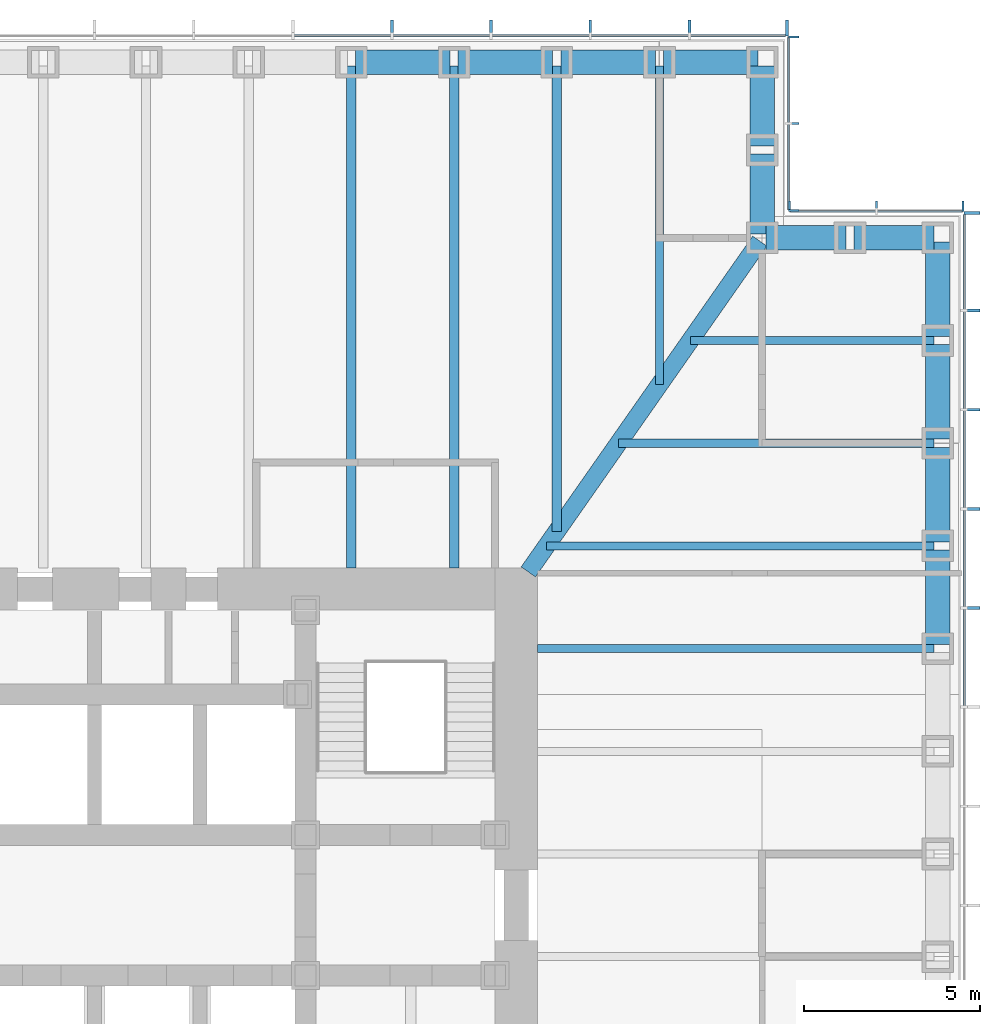
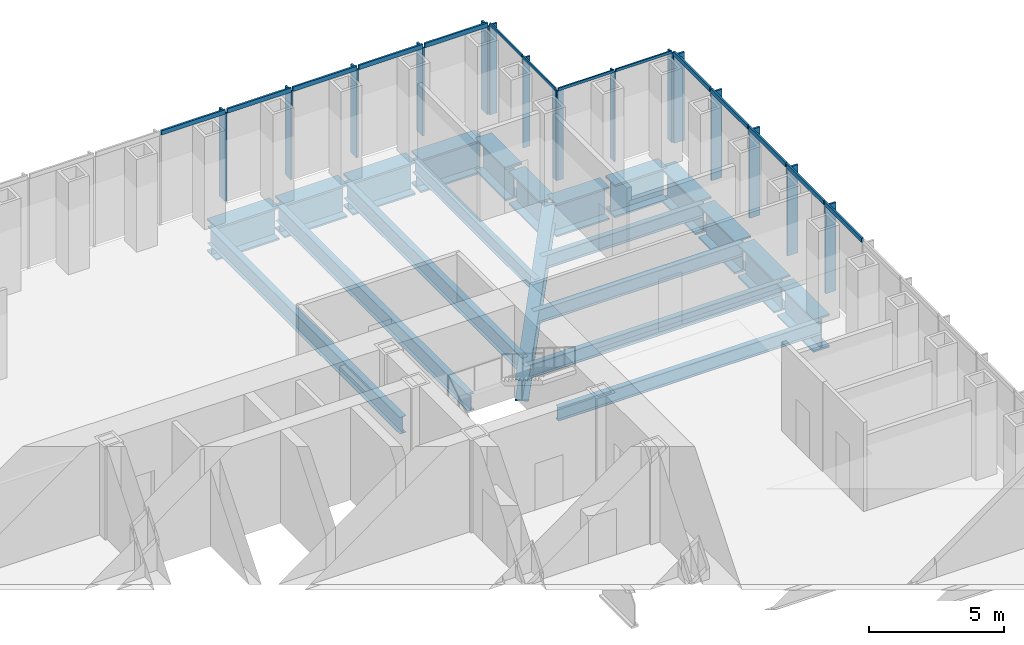
# One storey, part 6 of 16: 30 members, 21 beams, 4 elements without a shape of their own.
"""IFC4 building model written with IfcOpenShell, lengths in metres."""

from ifc_helpers import new_model, si_unit, direction, frame, origin, origin_2d, place, context, subcontext, project, spatial, rectangle, i_section, extrude, material, material_profile, profile_set, type_object, element, aggregate, save


model = new_model("IFC4")

# Units and contexts
model_context = context("Model", 3, precision=1e-05, world=origin(), true_north=direction((0.0, 1.0)))
body_context = subcontext(model_context, "Body", "Model", "MODEL_VIEW")
ifc_project = project(units=[si_unit("LENGTHUNIT", "METRE"), si_unit("AREAUNIT", "SQUARE_METRE"), si_unit("VOLUMEUNIT", "CUBIC_METRE"), si_unit("PLANEANGLEUNIT", "RADIAN"), si_unit("MASSUNIT", "GRAM", prefix="KILO")], contexts=[model_context])

# Site, building, storey
site_placement = place(None, origin())
site = spatial("IfcSite", under=ifc_project, at=site_placement, CompositionType="ELEMENT")
building_placement = place(site_placement, origin())
building = spatial("IfcBuilding", under=site, at=building_placement, Name="Daluyong Arena Tower", CompositionType="ELEMENT")
storey_placement = place(building_placement, frame((0.0, 0.0, 64.300048828125)))
storey = spatial("IfcBuildingStorey", under=building, at=storey_placement, Name="L13", CompositionType="ELEMENT", Elevation=64.300048828125)

# Curtain wall, members
ifc_material_1 = material(Name="Bronze anodised aluminium and glass", Category="aluminium")
curtain_wall_type_1 = type_object("IfcCurtainWallType", Name="Curtain wall CW1", PredefinedType="USERDEFINED", material=ifc_material_1)
curtain_wall_1_placement = place(storey_placement, origin())
curtain_wall_1 = element("IfcCurtainWall", 1, at=curtain_wall_1_placement, inside=storey, type_object=curtain_wall_type_1, Name="curtain wall L13 E", ObjectType="UNITISED CURTAIN WALL", PredefinedType="USERDEFINED")
ifc_material_2 = material(Name="Bronze anodised aluminium fin", Category="aluminium")
ifc_material_profile_1 = material_profile(ifc_material_2, rectangle(XDim=0.449951171875, YDim=0.080078125, at=origin_2d()))
ifc_profile_set_1 = profile_set([ifc_material_profile_1], Name="Bronze anodised aluminium fin")
member_type_1 = type_object("IfcMemberType", Name="CW1 bronze fin 450x80", PredefinedType="MULLION", material=ifc_profile_set_1)
member_1_placement = place(storey_placement, frame((80.97509765625, 88.46435546875, 0.0), z_axis=(0.0, 0.0, 1.0), x_axis=(-1.0, 0.0, 0.0)))
member_1 = element("IfcMember", 2, at=member_1_placement, type_object=member_type_1, Name="curtain wall L13 E fin 11", PredefinedType="MULLION", context=body_context, shape_type="SweptSolid", body=[
    extrude(rectangle(XDim=0.449951171875, YDim=0.080078125, at=origin_2d()), origin(), (0.0, 0.0, 1.0), 4.0),
])
member_2_placement = place(storey_placement, frame((80.97509765625, 91.28564453125, 0.0), z_axis=(0.0, 0.0, 1.0), x_axis=(-1.0, 0.0, 0.0)))
member_2 = element("IfcMember", 3, at=member_2_placement, type_object=member_type_1, Name="curtain wall L13 E fin 12", PredefinedType="MULLION", context=body_context, shape_type="SweptSolid", body=[
    extrude(rectangle(XDim=0.449951171875, YDim=0.080078125, at=origin_2d()), origin(), (0.0, 0.0, 1.0), 4.0),
])
member_3_placement = place(storey_placement, frame((80.97509765625, 94.107177734375, 0.0), z_axis=(0.0, 0.0, 1.0), x_axis=(-1.0, 0.0, 0.0)))
member_3 = element("IfcMember", 4, at=member_3_placement, type_object=member_type_1, Name="curtain wall L13 E fin 13", PredefinedType="MULLION", context=body_context, shape_type="SweptSolid", body=[
    extrude(rectangle(XDim=0.449951171875, YDim=0.080078125, at=origin_2d()), origin(), (0.0, 0.0, 1.0), 4.0),
])
member_4_placement = place(storey_placement, frame((80.97509765625, 96.928466796875, 0.0), z_axis=(0.0, 0.0, 1.0), x_axis=(-1.0, 0.0, 0.0)))
member_4 = element("IfcMember", 5, at=member_4_placement, type_object=member_type_1, Name="curtain wall L13 E fin 14", PredefinedType="MULLION", context=body_context, shape_type="SweptSolid", body=[
    extrude(rectangle(XDim=0.449951171875, YDim=0.080078125, at=origin_2d()), origin(), (0.0, 0.0, 1.0), 4.0),
])
member_5_placement = place(storey_placement, frame((80.97509765625, 99.7099609375, 0.0), z_axis=(0.0, 0.0, 1.0), x_axis=(-1.0, 0.0, 0.0)))
member_5 = element("IfcMember", 6, at=member_5_placement, type_object=member_type_1, Name="curtain wall L13 E fin 15", PredefinedType="MULLION", context=body_context, shape_type="SweptSolid", body=[
    extrude(rectangle(XDim=0.449951171875, YDim=0.080078125, at=origin_2d()), origin(), (0.0, 0.0, 1.0), 4.0),
])

curtain_wall_2_placement = place(storey_placement, origin())
curtain_wall_2 = element("IfcCurtainWall", 7, at=curtain_wall_2_placement, inside=storey, type_object=curtain_wall_type_1, Name="curtain wall L13 N", ObjectType="UNITISED CURTAIN WALL", PredefinedType="USERDEFINED")
member_6_placement = place(storey_placement, frame((75.7099609375, 104.97509765625, 0.0), z_axis=(0.0, 0.0, 1.0), x_axis=(0.0, -1.0, 0.0)))
member_6 = element("IfcMember", 8, at=member_6_placement, type_object=member_type_1, Name="curtain wall L13 N fin 1", PredefinedType="MULLION", context=body_context, shape_type="SweptSolid", body=[
    extrude(rectangle(XDim=0.449951171875, YDim=0.080078125, at=origin_2d()), origin(), (0.0, 0.0, 1.0), 4.0),
])
member_7_placement = place(storey_placement, frame((72.928466796875, 104.97509765625, 0.0), z_axis=(0.0, 0.0, 1.0), x_axis=(0.0, -1.0, 0.0)))
member_7 = element("IfcMember", 9, at=member_7_placement, type_object=member_type_1, Name="curtain wall L13 N fin 2", PredefinedType="MULLION", context=body_context, shape_type="SweptSolid", body=[
    extrude(rectangle(XDim=0.449951171875, YDim=0.080078125, at=origin_2d()), origin(), (0.0, 0.0, 1.0), 4.0),
])
member_8_placement = place(storey_placement, frame((70.107177734375, 104.97509765625, 0.0), z_axis=(0.0, 0.0, 1.0), x_axis=(0.0, -1.0, 0.0)))
member_8 = element("IfcMember", 10, at=member_8_placement, type_object=member_type_1, Name="curtain wall L13 N fin 3", PredefinedType="MULLION", context=body_context, shape_type="SweptSolid", body=[
    extrude(rectangle(XDim=0.449951171875, YDim=0.080078125, at=origin_2d()), origin(), (0.0, 0.0, 1.0), 4.0),
])
member_9_placement = place(storey_placement, frame((67.28564453125, 104.97509765625, 0.0), z_axis=(0.0, 0.0, 1.0), x_axis=(0.0, -1.0, 0.0)))
member_9 = element("IfcMember", 11, at=member_9_placement, type_object=member_type_1, Name="curtain wall L13 N fin 4", PredefinedType="MULLION", context=body_context, shape_type="SweptSolid", body=[
    extrude(rectangle(XDim=0.449951171875, YDim=0.080078125, at=origin_2d()), origin(), (0.0, 0.0, 1.0), 4.0),
])
member_10_placement = place(storey_placement, frame((64.46435546875, 104.97509765625, 0.0), z_axis=(0.0, 0.0, 1.0), x_axis=(0.0, -1.0, 0.0)))
member_10 = element("IfcMember", 12, at=member_10_placement, type_object=member_type_1, Name="curtain wall L13 N fin 5", PredefinedType="MULLION", context=body_context, shape_type="SweptSolid", body=[
    extrude(rectangle(XDim=0.449951171875, YDim=0.080078125, at=origin_2d()), origin(), (0.0, 0.0, 1.0), 4.0),
])

# Member
ifc_material_3 = material(Name="Bronze anodised aluminium", Category="aluminium")
ifc_material_profile_2 = material_profile(ifc_material_3, rectangle(XDim=0.080078125, YDim=0.199951171875, at=origin_2d()))
ifc_profile_set_2 = profile_set([ifc_material_profile_2], Name="Bronze anodised aluminium")
member_type_2 = type_object("IfcMemberType", Name="CW1 stack transom 200x80", PredefinedType="USERDEFINED", material=ifc_profile_set_2)
member_11_placement = place(storey_placement, frame((80.75, 85.682861328125, 4.099853515625), z_axis=(0.0, 1.0, 0.0), x_axis=(-1.0, 0.0, 0.0)))
member_11 = element("IfcMember", 13, at=member_11_placement, type_object=member_type_2, Name="curtain wall L13 E transom 10", ObjectType="TRANSOM", PredefinedType="USERDEFINED", context=body_context, shape_type="SweptSolid", body=[
    extrude(rectangle(XDim=0.080078125, YDim=0.199951171875, at=origin_2d()), origin(), (0.0, 0.0, 1.0), 2.741455078125),
])

member_12_placement = place(storey_placement, frame((80.75, 88.50439453125, 4.099853515625), z_axis=(0.0, 1.0, 0.0), x_axis=(-1.0, 0.0, 0.0)))
member_12 = element("IfcMember", 14, at=member_12_placement, type_object=member_type_2, Name="curtain wall L13 E transom 11", ObjectType="TRANSOM", PredefinedType="USERDEFINED", context=body_context, shape_type="SweptSolid", body=[
    extrude(rectangle(XDim=0.080078125, YDim=0.199951171875, at=origin_2d()), origin(), (0.0, 0.0, 1.0), 2.7412109375),
])

member_13_placement = place(storey_placement, frame((80.75, 91.32568359375, 4.099853515625), z_axis=(0.0, 1.0, 0.0), x_axis=(-1.0, 0.0, 0.0)))
member_13 = element("IfcMember", 15, at=member_13_placement, type_object=member_type_2, Name="curtain wall L13 E transom 12", ObjectType="TRANSOM", PredefinedType="USERDEFINED", context=body_context, shape_type="SweptSolid", body=[
    extrude(rectangle(XDim=0.080078125, YDim=0.199951171875, at=origin_2d()), origin(), (0.0, 0.0, 1.0), 2.741455078125),
])

member_14_placement = place(storey_placement, frame((80.75, 94.147216796875, 4.099853515625), z_axis=(0.0, 1.0, 0.0), x_axis=(-1.0, 0.0, 0.0)))
member_14 = element("IfcMember", 16, at=member_14_placement, type_object=member_type_2, Name="curtain wall L13 E transom 13", ObjectType="TRANSOM", PredefinedType="USERDEFINED", context=body_context, shape_type="SweptSolid", body=[
    extrude(rectangle(XDim=0.080078125, YDim=0.199951171875, at=origin_2d()), origin(), (0.0, 0.0, 1.0), 2.741455078125),
])

member_15_placement = place(storey_placement, frame((80.75, 96.968505859375, 4.099853515625), z_axis=(0.0, 1.0, 0.0), x_axis=(-1.0, 0.0, 0.0)))
member_15 = element("IfcMember", 17, at=member_15_placement, type_object=member_type_2, Name="curtain wall L13 E transom 14", ObjectType="TRANSOM", PredefinedType="USERDEFINED", context=body_context, shape_type="SweptSolid", body=[
    extrude(rectangle(XDim=0.080078125, YDim=0.199951171875, at=origin_2d()), origin(), (0.0, 0.0, 1.0), 2.701416015625),
])

aggregate(curtain_wall_1, [member_1, member_2, member_3, member_4, member_5, member_11, member_12, member_13, member_14, member_15])

member_16_placement = place(storey_placement, frame((75.669921875, 104.75, 4.099853515625), z_axis=(-1.0, 0.0, 0.0), x_axis=(0.0, -1.0, 0.0)))
member_16 = element("IfcMember", 18, at=member_16_placement, type_object=member_type_2, Name="curtain wall L13 N transom 1", ObjectType="TRANSOM", PredefinedType="USERDEFINED", context=body_context, shape_type="SweptSolid", body=[
    extrude(rectangle(XDim=0.080078125, YDim=0.199951171875, at=origin_2d()), origin(), (0.0, 0.0, 1.0), 2.701416015625),
])

member_17_placement = place(storey_placement, frame((72.888671875, 104.75, 4.099853515625), z_axis=(-1.0, 0.0, 0.0), x_axis=(0.0, -1.0, 0.0)))
member_17 = element("IfcMember", 19, at=member_17_placement, type_object=member_type_2, Name="curtain wall L13 N transom 2", ObjectType="TRANSOM", PredefinedType="USERDEFINED", context=body_context, shape_type="SweptSolid", body=[
    extrude(rectangle(XDim=0.080078125, YDim=0.199951171875, at=origin_2d()), origin(), (0.0, 0.0, 1.0), 2.741455078125),
])

member_18_placement = place(storey_placement, frame((70.067138671875, 104.75, 4.099853515625), z_axis=(-1.0, 0.0, 0.0), x_axis=(0.0, -1.0, 0.0)))
member_18 = element("IfcMember", 20, at=member_18_placement, type_object=member_type_2, Name="curtain wall L13 N transom 3", ObjectType="TRANSOM", PredefinedType="USERDEFINED", context=body_context, shape_type="SweptSolid", body=[
    extrude(rectangle(XDim=0.080078125, YDim=0.199951171875, at=origin_2d()), origin(), (0.0, 0.0, 1.0), 2.741455078125),
])

member_19_placement = place(storey_placement, frame((67.24560546875, 104.75, 4.099853515625), z_axis=(-1.0, 0.0, 0.0), x_axis=(0.0, -1.0, 0.0)))
member_19 = element("IfcMember", 21, at=member_19_placement, type_object=member_type_2, Name="curtain wall L13 N transom 4", ObjectType="TRANSOM", PredefinedType="USERDEFINED", context=body_context, shape_type="SweptSolid", body=[
    extrude(rectangle(XDim=0.080078125, YDim=0.199951171875, at=origin_2d()), origin(), (0.0, 0.0, 1.0), 2.7412109375),
])

member_20_placement = place(storey_placement, frame((64.42431640625, 104.75, 4.099853515625), z_axis=(-1.0, 0.0, 0.0), x_axis=(0.0, -1.0, 0.0)))
member_20 = element("IfcMember", 22, at=member_20_placement, type_object=member_type_2, Name="curtain wall L13 N transom 5", ObjectType="TRANSOM", PredefinedType="USERDEFINED", context=body_context, shape_type="SweptSolid", body=[
    extrude(rectangle(XDim=0.080078125, YDim=0.199951171875, at=origin_2d()), origin(), (0.0, 0.0, 1.0), 2.741455078125),
])

aggregate(curtain_wall_2, [member_6, member_7, member_8, member_9, member_10, member_16, member_17, member_18, member_19, member_20])

# Curtain wall, members
ifc_material_4 = material(Name="Bronze anodised aluminium and glass", Category="aluminium")
curtain_wall_type_2 = type_object("IfcCurtainWallType", Name="Curtain wall CW7", PredefinedType="USERDEFINED", material=ifc_material_4)
curtain_wall_3_placement = place(storey_placement, origin())
curtain_wall_3 = element("IfcCurtainWall", 23, at=curtain_wall_3_placement, inside=storey, type_object=curtain_wall_type_2, Name="curtain wall L13 NE-N", ObjectType="UNITISED CURTAIN WALL", PredefinedType="USERDEFINED")
ifc_material_5 = material(Name="Bronze anodised aluminium fin", Category="aluminium")
ifc_material_profile_3 = material_profile(ifc_material_5, rectangle(XDim=0.300048828125, YDim=0.06005859375, at=origin_2d()))
ifc_profile_set_3 = profile_set([ifc_material_profile_3], Name="Bronze anodised aluminium fin")
member_type_3 = type_object("IfcMemberType", Name="CW7 bronze fin 300x60", PredefinedType="MULLION", material=ifc_profile_set_3)
member_21_placement = place(storey_placement, frame((80.719970703125, 99.89990234375, 0.0), z_axis=(0.0, 0.0, 1.0), x_axis=(0.0, -1.0, 0.0)))
member_21 = element("IfcMember", 24, at=member_21_placement, type_object=member_type_3, Name="curtain wall L13 NE-N fin 1", PredefinedType="MULLION", context=body_context, shape_type="SweptSolid", body=[
    extrude(rectangle(XDim=0.300048828125, YDim=0.06005859375, at=origin_2d()), origin(), (0.0, 0.0, 1.0), 4.079833984375),
])
member_22_placement = place(storey_placement, frame((78.25, 99.89990234375, 0.0), z_axis=(0.0, 0.0, 1.0), x_axis=(0.0, -1.0, 0.0)))
member_22 = element("IfcMember", 25, at=member_22_placement, type_object=member_type_3, Name="curtain wall L13 NE-N fin 2", PredefinedType="MULLION", context=body_context, shape_type="SweptSolid", body=[
    extrude(rectangle(XDim=0.300048828125, YDim=0.06005859375, at=origin_2d()), origin(), (0.0, 0.0, 1.0), 4.079833984375),
])
member_23_placement = place(storey_placement, frame((75.780029296875, 99.89990234375, 0.0), z_axis=(0.0, 0.0, 1.0), x_axis=(0.0, -1.0, 0.0)))
member_23 = element("IfcMember", 26, at=member_23_placement, type_object=member_type_3, Name="curtain wall L13 NE-N fin 3", PredefinedType="MULLION", context=body_context, shape_type="SweptSolid", body=[
    extrude(rectangle(XDim=0.300048828125, YDim=0.06005859375, at=origin_2d()), origin(), (0.0, 0.0, 1.0), 4.079833984375),
])

curtain_wall_4_placement = place(storey_placement, origin())
curtain_wall_4 = element("IfcCurtainWall", 27, at=curtain_wall_4_placement, inside=storey, type_object=curtain_wall_type_2, Name="curtain wall L13 NE-E", ObjectType="UNITISED CURTAIN WALL", PredefinedType="USERDEFINED")
member_24_placement = place(storey_placement, frame((75.89990234375, 99.780029296875, 0.0), z_axis=(0.0, 0.0, 1.0), x_axis=(-1.0, 0.0, 0.0)))
member_24 = element("IfcMember", 28, at=member_24_placement, type_object=member_type_3, Name="curtain wall L13 NE-E fin 1", PredefinedType="MULLION", context=body_context, shape_type="SweptSolid", body=[
    extrude(rectangle(XDim=0.300048828125, YDim=0.06005859375, at=origin_2d()), origin(), (0.0, 0.0, 1.0), 4.079833984375),
])
member_25_placement = place(storey_placement, frame((75.89990234375, 102.25, 0.0), z_axis=(0.0, 0.0, 1.0), x_axis=(-1.0, 0.0, 0.0)))
member_25 = element("IfcMember", 29, at=member_25_placement, type_object=member_type_3, Name="curtain wall L13 NE-E fin 2", PredefinedType="MULLION", context=body_context, shape_type="SweptSolid", body=[
    extrude(rectangle(XDim=0.300048828125, YDim=0.06005859375, at=origin_2d()), origin(), (0.0, 0.0, 1.0), 4.079833984375),
])
member_26_placement = place(storey_placement, frame((75.89990234375, 104.719970703125, 0.0), z_axis=(0.0, 0.0, 1.0), x_axis=(-1.0, 0.0, 0.0)))
member_26 = element("IfcMember", 30, at=member_26_placement, type_object=member_type_3, Name="curtain wall L13 NE-E fin 3", PredefinedType="MULLION", context=body_context, shape_type="SweptSolid", body=[
    extrude(rectangle(XDim=0.300048828125, YDim=0.06005859375, at=origin_2d()), origin(), (0.0, 0.0, 1.0), 4.079833984375),
])

# Member
ifc_material_6 = material(Name="Bronze anodised aluminium", Category="aluminium")
ifc_material_profile_4 = material_profile(ifc_material_6, rectangle(XDim=0.06005859375, YDim=0.1201171875, at=origin_2d()))
ifc_profile_set_4 = profile_set([ifc_material_profile_4], Name="Bronze anodised aluminium")
member_type_4 = type_object("IfcMemberType", Name="CW7 stack transom 120x60", PredefinedType="USERDEFINED", material=ifc_profile_set_4)
member_27_placement = place(storey_placement, frame((80.68994140625, 99.75, 4.139892578125), z_axis=(-1.0, 0.0, 0.0), x_axis=(0.0, -1.0, 0.0)))
member_27 = element("IfcMember", 31, at=member_27_placement, type_object=member_type_4, Name="curtain wall L13 NE-N transom 1", ObjectType="TRANSOM", PredefinedType="USERDEFINED", context=body_context, shape_type="SweptSolid", body=[
    extrude(rectangle(XDim=0.06005859375, YDim=0.1201171875, at=origin_2d()), origin(), (0.0, 0.0, 1.0), 2.409912109375),
])

member_28_placement = place(storey_placement, frame((78.219970703125, 99.75, 4.139892578125), z_axis=(-1.0, 0.0, 0.0), x_axis=(0.0, -1.0, 0.0)))
member_28 = element("IfcMember", 32, at=member_28_placement, type_object=member_type_4, Name="curtain wall L13 NE-N transom 2", ObjectType="TRANSOM", PredefinedType="USERDEFINED", context=body_context, shape_type="SweptSolid", body=[
    extrude(rectangle(XDim=0.06005859375, YDim=0.1201171875, at=origin_2d()), origin(), (0.0, 0.0, 1.0), 2.409912109375),
])

aggregate(curtain_wall_3, [member_21, member_22, member_23, member_27, member_28])

member_29_placement = place(storey_placement, frame((75.75, 99.81005859375, 4.139892578125), z_axis=(0.0, 1.0, 0.0), x_axis=(-1.0, 0.0, 0.0)))
member_29 = element("IfcMember", 33, at=member_29_placement, type_object=member_type_4, Name="curtain wall L13 NE-E transom 1", ObjectType="TRANSOM", PredefinedType="USERDEFINED", context=body_context, shape_type="SweptSolid", body=[
    extrude(rectangle(XDim=0.06005859375, YDim=0.1201171875, at=origin_2d()), origin(), (0.0, 0.0, 1.0), 2.409912109375),
])

member_30_placement = place(storey_placement, frame((75.75, 102.280029296875, 4.139892578125), z_axis=(0.0, 1.0, 0.0), x_axis=(-1.0, 0.0, 0.0)))
member_30 = element("IfcMember", 34, at=member_30_placement, type_object=member_type_4, Name="curtain wall L13 NE-E transom 2", ObjectType="TRANSOM", PredefinedType="USERDEFINED", context=body_context, shape_type="SweptSolid", body=[
    extrude(rectangle(XDim=0.06005859375, YDim=0.1201171875, at=origin_2d()), origin(), (0.0, 0.0, 1.0), 2.409912109375),
])

aggregate(curtain_wall_4, [member_24, member_25, member_26, member_29, member_30])

# Beams
ifc_material_7 = material(Name="Steel ASTM A572 Grade 50", Category="steel")
ifc_material_profile_5 = material_profile(ifc_material_7, i_section(OverallWidth=0.5, OverallDepth=1.0, WebThickness=0.03, FlangeThickness=0.06, at=origin_2d()))
ifc_profile_set_5 = profile_set([ifc_material_profile_5], Name="Steel ASTM A572 Grade 50")
beam_type_1 = type_object("IfcBeamType", Name="Corner girder TB1000X500", PredefinedType="BEAM", material=ifc_profile_set_5)
beam_1_placement = place(storey_placement, frame((74.93408203125, 98.90576171875, -0.66015625), z_axis=(-0.573466621875, -0.819228926244, 0.0), x_axis=(0.819228926244, -0.573466621875, 0.0)))
element("IfcBeam", 35, at=beam_1_placement, inside=storey, type_object=beam_type_1, Name="corner girder DG2", PredefinedType="BEAM", context=body_context, shape_type="SweptSolid", body=[
    extrude(i_section(OverallWidth=0.5, OverallDepth=1.0, WebThickness=0.03, FlangeThickness=0.06, at=origin_2d()), origin(), (0.0, 0.0, 1.0), 11.49169921875),
])
ifc_material_8 = material(Name="Steel ASTM A992 Grade 50", Category="steel")
ifc_material_profile_6 = material_profile(ifc_material_8, i_section(OverallWidth=0.22900390625, OverallDepth=0.612060546875, WebThickness=0.011962890625, FlangeThickness=0.01953125, at=origin_2d()))
ifc_profile_set_6 = profile_set([ifc_material_profile_6], Name="Steel ASTM A992 Grade 50")
beam_type_2 = type_object("IfcBeamType", Name="Floor beam W24X84", PredefinedType="BEAM", material=ifc_profile_set_6)
beam_2_placement = place(storey_placement, frame((79.885009765625, 87.3076171875, -0.466064453125), z_axis=(-1.0, 0.0, 0.0), x_axis=(0.0, -1.0, 0.0)))
element("IfcBeam", 36, at=beam_2_placement, inside=storey, type_object=beam_type_2, Name="floor beam FB3", PredefinedType="BEAM", context=body_context, shape_type="SweptSolid", body=[
    extrude(i_section(OverallWidth=0.22900390625, OverallDepth=0.612060546875, WebThickness=0.011962890625, FlangeThickness=0.01953125, at=origin_2d()), origin(), (0.0, 0.0, 1.0), 11.284912109375),
])
beam_3_placement = place(storey_placement, frame((79.885009765625, 90.230712890625, -0.466064453125), z_axis=(-1.0, 0.0, 0.0), x_axis=(0.0, -1.0, 0.0)))
element("IfcBeam", 37, at=beam_3_placement, inside=storey, type_object=beam_type_2, Name="floor beam FB3", PredefinedType="BEAM", context=body_context, shape_type="SweptSolid", body=[
    extrude(i_section(OverallWidth=0.22900390625, OverallDepth=0.612060546875, WebThickness=0.011962890625, FlangeThickness=0.01953125, at=origin_2d()), origin(), (0.0, 0.0, 1.0), 11.0234375),
])
beam_4_placement = place(storey_placement, frame((79.885009765625, 93.15380859375, -0.466064453125), z_axis=(-1.0, 0.0, 0.0), x_axis=(0.0, -1.0, 0.0)))
element("IfcBeam", 38, at=beam_4_placement, inside=storey, type_object=beam_type_2, Name="floor beam FB3", PredefinedType="BEAM", context=body_context, shape_type="SweptSolid", body=[
    extrude(i_section(OverallWidth=0.22900390625, OverallDepth=0.612060546875, WebThickness=0.011962890625, FlangeThickness=0.01953125, at=origin_2d()), origin(), (0.0, 0.0, 1.0), 8.977294921875),
])
beam_5_placement = place(storey_placement, frame((79.885009765625, 96.076904296875, -0.466064453125), z_axis=(-1.0, 0.0, 0.0), x_axis=(0.0, -1.0, 0.0)))
element("IfcBeam", 39, at=beam_5_placement, inside=storey, type_object=beam_type_2, Name="floor beam FB3", PredefinedType="BEAM", context=body_context, shape_type="SweptSolid", body=[
    extrude(i_section(OverallWidth=0.22900390625, OverallDepth=0.612060546875, WebThickness=0.011962890625, FlangeThickness=0.01953125, at=origin_2d()), origin(), (0.0, 0.0, 1.0), 6.93115234375),
])
beam_6_placement = place(storey_placement, frame((72.076904296875, 103.885009765625, -0.466064453125), z_axis=(0.0, -1.0, 0.0), x_axis=(1.0, 0.0, 0.0)))
element("IfcBeam", 40, at=beam_6_placement, inside=storey, type_object=beam_type_2, Name="floor beam FB3", PredefinedType="BEAM", context=body_context, shape_type="SweptSolid", body=[
    extrude(i_section(OverallWidth=0.22900390625, OverallDepth=0.612060546875, WebThickness=0.011962890625, FlangeThickness=0.01953125, at=origin_2d()), origin(), (0.0, 0.0, 1.0), 9.060791015625),
])
ifc_material_9 = material(Name="Steel ASTM A992 Grade 50", Category="steel")
ifc_material_profile_7 = material_profile(ifc_material_9, i_section(OverallWidth=0.2666015625, OverallDepth=0.761962890625, WebThickness=0.014404296875, FlangeThickness=0.021484375, at=origin_2d()))
ifc_profile_set_7 = profile_set([ifc_material_profile_7], Name="Steel ASTM A992 Grade 50")
beam_type_3 = type_object("IfcBeamType", Name="Floor beam W30X116", PredefinedType="BEAM", material=ifc_profile_set_7)
beam_7_placement = place(storey_placement, frame((69.15380859375, 103.885009765625, -0.541015625), z_axis=(0.0, -1.0, 0.0), x_axis=(1.0, 0.0, 0.0)))
element("IfcBeam", 41, at=beam_7_placement, inside=storey, type_object=beam_type_3, Name="floor beam FB4", PredefinedType="BEAM", context=body_context, shape_type="SweptSolid", body=[
    extrude(i_section(OverallWidth=0.2666015625, OverallDepth=0.761962890625, WebThickness=0.014404296875, FlangeThickness=0.021484375, at=origin_2d()), origin(), (0.0, 0.0, 1.0), 13.236572265625),
])
for number, where, z_axis, x_axis, name in (
    (42, (66.230712890625, 103.885009765625, -0.541015625), (0.0, -1.0, 0.0), (1.0, 0.0, 0.0), "floor beam FB4"),
    (43, (63.3076171875, 103.885009765625, -0.541015625), (0.0, -1.0, 0.0), (1.0, 0.0, 0.0), "floor beam FB4"),
):
    element("IfcBeam", number, at=place(storey_placement, frame(where, z_axis=z_axis, x_axis=x_axis)), inside=storey, type_object=beam_type_3, Name=name, PredefinedType="BEAM", context=body_context, shape_type="SweptSolid", body=[
        extrude(i_section(OverallWidth=0.2666015625, OverallDepth=0.761962890625, WebThickness=0.014404296875, FlangeThickness=0.021484375, at=origin_2d()), origin(), (0.0, 0.0, 1.0), 14.284912109375),
    ])
ifc_material_10 = material(Name="Steel ASTM A572 Grade 50", Category="steel")
ifc_material_profile_8 = material_profile(ifc_material_10, i_section(OverallWidth=0.699951171875, OverallDepth=1.5, WebThickness=0.04, FlangeThickness=0.08, at=origin_2d()))
ifc_profile_set_8 = profile_set([ifc_material_profile_8], Name="Steel ASTM A572 Grade 50")
beam_type_4 = type_object("IfcBeamType", Name="Spandrel Z1 PG1500X700", PredefinedType="SPANDREL", material=ifc_profile_set_8)
for number, where, z_axis, x_axis, name in (
    (44, (80.0, 87.422607421875, -0.91015625), (0.0, 1.0, 0.0), (-1.0, 0.0, 0.0), "spandrel z1 SB4"),
    (45, (80.0, 90.345703125, -0.91015625), (0.0, 1.0, 0.0), (-1.0, 0.0, 0.0), "spandrel z1 SB4"),
    (46, (80.0, 93.268798828125, -0.91015625), (0.0, 1.0, 0.0), (-1.0, 0.0, 0.0), "spandrel z1 SB4"),
    (47, (80.0, 96.19189453125, -0.91015625), (0.0, 1.0, 0.0), (-1.0, 0.0, 0.0), "spandrel z1 SB4"),
):
    element("IfcBeam", number, at=place(storey_placement, frame(where, z_axis=z_axis, x_axis=x_axis)), inside=storey, type_object=beam_type_4, Name=name, PredefinedType="SPANDREL", context=body_context, shape_type="SweptSolid", body=[
        extrude(i_section(OverallWidth=0.699951171875, OverallDepth=1.5, WebThickness=0.04, FlangeThickness=0.08, at=origin_2d()), origin(), (0.0, 0.0, 1.0), 2.693115234375),
    ])
for number, where, z_axis, x_axis, name in (
    (48, (79.885009765625, 99.0, -0.91015625), (-1.0, 0.0, 0.0), (0.0, -1.0, 0.0), "spandrel z1 SB4"),
    (49, (77.385009765625, 99.0, -0.91015625), (-1.0, 0.0, 0.0), (0.0, -1.0, 0.0), "spandrel z1 SB4"),
    (50, (75.0, 99.114990234375, -0.91015625), (0.0, 1.0, 0.0), (-1.0, 0.0, 0.0), "spandrel z1 SB4"),
    (51, (75.0, 101.614990234375, -0.91015625), (0.0, 1.0, 0.0), (-1.0, 0.0, 0.0), "spandrel z1 SB4"),
):
    element("IfcBeam", number, at=place(storey_placement, frame(where, z_axis=z_axis, x_axis=x_axis)), inside=storey, type_object=beam_type_4, Name=name, PredefinedType="SPANDREL", context=body_context, shape_type="SweptSolid", body=[
        extrude(i_section(OverallWidth=0.699951171875, OverallDepth=1.5, WebThickness=0.04, FlangeThickness=0.08, at=origin_2d()), origin(), (0.0, 0.0, 1.0), 2.27001953125),
    ])
for number, where, z_axis, x_axis, name in (
    (52, (74.885009765625, 104.0, -0.91015625), (-1.0, 0.0, 0.0), (0.0, -1.0, 0.0), "spandrel z1 SB4"),
    (53, (71.9619140625, 104.0, -0.91015625), (-1.0, 0.0, 0.0), (0.0, -1.0, 0.0), "spandrel z1 SB4"),
    (54, (69.038818359375, 104.0, -0.91015625), (-1.0, 0.0, 0.0), (0.0, -1.0, 0.0), "spandrel z1 SB4"),
    (55, (66.11572265625, 104.0, -0.91015625), (-1.0, 0.0, 0.0), (0.0, -1.0, 0.0), "spandrel z1 SB4"),
):
    element("IfcBeam", number, at=place(storey_placement, frame(where, z_axis=z_axis, x_axis=x_axis)), inside=storey, type_object=beam_type_4, Name=name, PredefinedType="SPANDREL", context=body_context, shape_type="SweptSolid", body=[
        extrude(i_section(OverallWidth=0.699951171875, OverallDepth=1.5, WebThickness=0.04, FlangeThickness=0.08, at=origin_2d()), origin(), (0.0, 0.0, 1.0), 2.693115234375),
    ])

save(model, "model.ifc")
